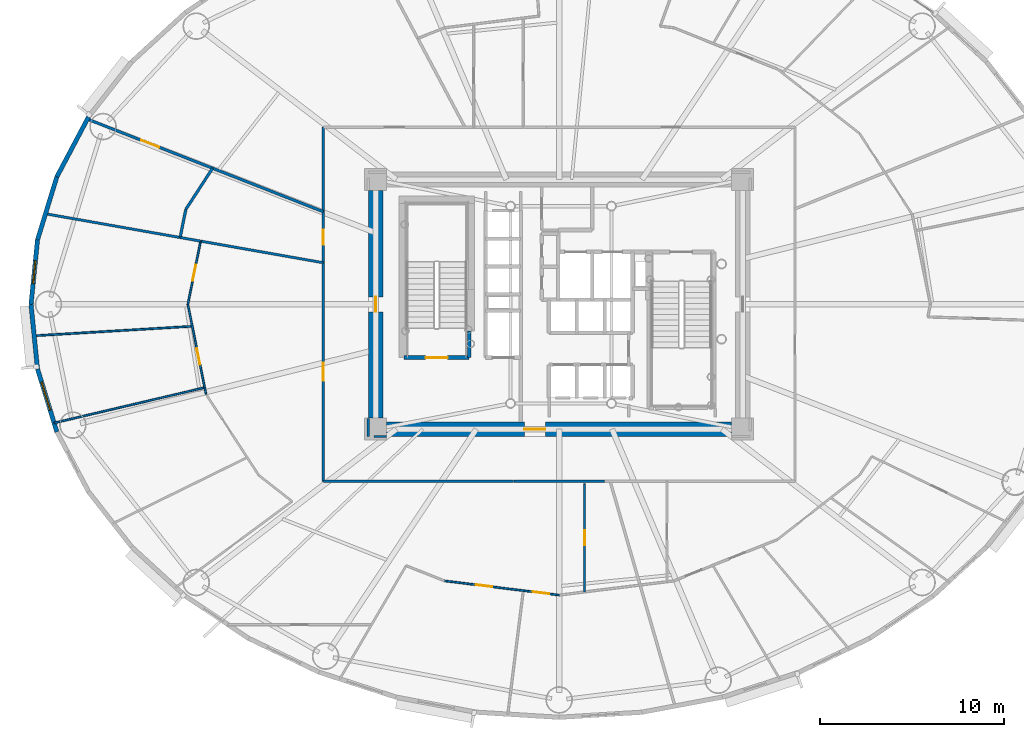
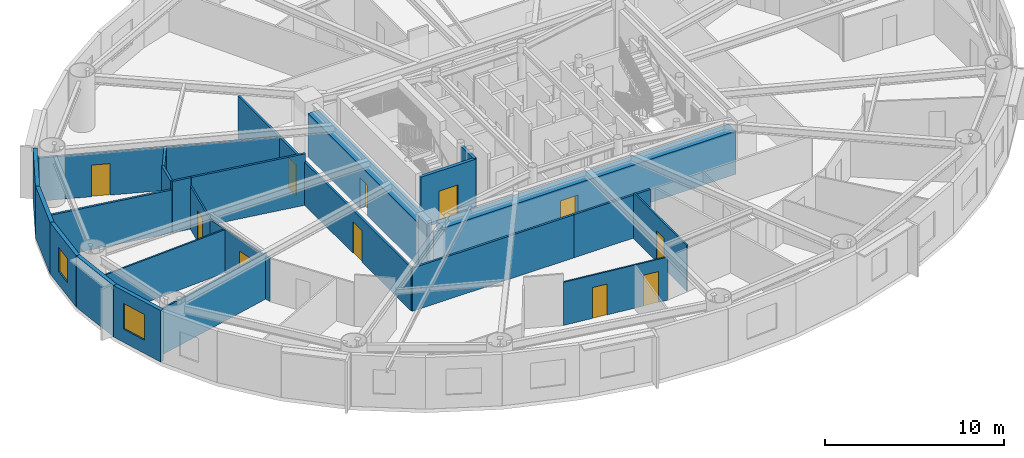
# One storey, part 10 of 20: 27 walls, 11 doors, 2 windows, 13 openings.
"""IFC4 building model written with IfcOpenShell, lengths in metres."""

from ifc_helpers import new_model, si_unit, direction, frame, frame_2d, origin, origin_2d, place, context, subcontext, project, spatial, rectangle, extrude, source, transform, mapped, material, layer, layer_set, type_object, element, fill, save


model = new_model("IFC4")

# Units and contexts
model_context = context("Model", 3, precision=1e-05, world=origin(), true_north=direction((0.0, 1.0)))
body_context = subcontext(model_context, "Body", "Model", "MODEL_VIEW")
ifc_project = project(units=[si_unit("LENGTHUNIT", "METRE"), si_unit("AREAUNIT", "SQUARE_METRE"), si_unit("VOLUMEUNIT", "CUBIC_METRE"), si_unit("PLANEANGLEUNIT", "RADIAN"), si_unit("MASSUNIT", "GRAM", prefix="KILO")], contexts=[model_context])

# Site, building, storey
site_placement = place(None, origin())
site = spatial("IfcSite", under=ifc_project, at=site_placement, CompositionType="ELEMENT")
building_placement = place(site_placement, origin())
building = spatial("IfcBuilding", under=site, at=building_placement, Name="Linh Dai School and Residence Tower", CompositionType="ELEMENT")
storey_placement = place(building_placement, frame((0.0, 0.0, 127.199951171875)))
storey = spatial("IfcBuildingStorey", under=building, at=storey_placement, Name="L30", CompositionType="ELEMENT", Elevation=127.199951171875)

# Walls
ifc_material_1 = material(Name="Precast Concrete B45 (C35/45)", Category="concrete")
ifc_layer_1 = layer(ifc_material_1, 0.239990234375)
ifc_layer_set_1 = layer_set([ifc_layer_1], Name="Precast Concrete B45 (C35/45)")
wall_type_1 = type_object("IfcWallType", Name="EW-TC-240", PredefinedType="SOLIDWALL", material=ifc_layer_set_1)
wall_1_placement = place(storey_placement, frame((8.6298828125, 33.945068359375, 0.0), z_axis=(0.0, 0.0, 1.0), x_axis=(0.467614004126, 0.883932770716, 0.0)))
element("IfcWall", 1, at=wall_1_placement, inside=storey, type_object=wall_type_1, Name="L30 Terracotta Exterior Wall 18", PredefinedType="SOLIDWALL", context=body_context, shape_type="SweptSolid", body=[
    extrude(rectangle(XDim=3.688720703125, YDim=0.239990234375, at=frame_2d((1.84423828125, 0.0))), origin(), (0.0, 0.0, 1.0), 3.5),
])
wall_2_placement = place(storey_placement, frame((7.578369140625, 30.515380859375, 0.0), z_axis=(0.0, 0.0, 1.0), x_axis=(0.293124431344, 0.956074300329, 0.0)))
element("IfcWall", 2, at=wall_2_placement, inside=storey, type_object=wall_type_1, Name="L30 Terracotta Exterior Wall 19", PredefinedType="SOLIDWALL", context=body_context, shape_type="SweptSolid", body=[
    extrude(rectangle(XDim=3.587158203125, YDim=0.239990234375, at=frame_2d((1.79345703125, 0.0))), origin(), (0.0, 0.0, 1.0), 3.5),
])

# Wall, opening, window
wall_3_placement = place(storey_placement, frame((7.22509765625, 27.0, 0.0), z_axis=(0.0, 0.0, 1.0), x_axis=(0.099989468229, 0.994988495533, 0.0)))
wall_3 = element("IfcWall", 3, at=wall_3_placement, inside=storey, type_object=wall_type_1, Name="L30 Terracotta Exterior Wall 20", PredefinedType="SOLIDWALL", context=body_context, shape_type="SweptSolid", body=[
    extrude(rectangle(XDim=3.533203125, YDim=0.239990234375, at=frame_2d((1.7666015625, 0.0))), origin(), (0.0, 0.0, 1.0), 3.5),
])
opening_1_placement = place(wall_3_placement, frame((1.1416015625, 0.0, 0.89990234375)))
opening_1 = element("IfcOpeningElement", 4, at=opening_1_placement, cuts=wall_3, Name="Opening W3", PredefinedType="OPENING", context=body_context, shape_type="SweptSolid", body=[
    extrude(rectangle(XDim=1.25, YDim=1.64990234375, at=origin_2d()), frame((0.625, 0.1298828125, 0.824951171875), z_axis=(0.0, -1.0, 0.0), x_axis=(1.0, 0.0, 0.0)), (0.0, 0.0, 1.0), 0.260009765625),
])
ifc_material_2 = material(Name="Double Low-E Insulated Glazing", Category="glass")
window_type_1 = type_object("IfcWindowType", Name="WN-RES-1250x1650", PartitioningType="SINGLE_PANEL", PredefinedType="WINDOW", material=ifc_material_2)
shared_shape_1 = source(origin(), body_context, "Body", "SweptSolid", [
    extrude(rectangle(XDim=1.25, YDim=1.64990234375, at=origin_2d()), frame((0.625, 0.030029296875, 0.824951171875), z_axis=(0.0, -1.0, 0.0), x_axis=(1.0, 0.0, 0.0)), (0.0, 0.0, 1.0), 0.06005859375),
])
window_1_placement = place(opening_1_placement, origin())
window_1 = element("IfcWindow", 5, at=window_1_placement, inside=storey, type_object=window_type_1, Name="L30 Dwelling Window U3001-BD1", OverallHeight=1.64990234375, OverallWidth=1.25, PartitioningType="SINGLE_PANEL", PredefinedType="WINDOW", context=body_context, shape_type="MappedRepresentation", body=[
    mapped(shared_shape_1, transform((0.0, 0.0, 0.0), x_axis=(1.0, 0.0, 0.0), y_axis=(0.0, 1.0, 0.0), z_axis=(0.0, 0.0, 1.0), scale=1.0)),
])
fill(opening_1, window_1)

# Wall
wall_4_placement = place(storey_placement, frame((7.578369140625, 23.484619140625, 0.0), z_axis=(0.0, 0.0, 1.0), x_axis=(-0.099989468229, 0.994988495533, 0.0)))
element("IfcWall", 6, at=wall_4_placement, inside=storey, type_object=wall_type_1, Name="L30 Terracotta Exterior Wall 21", PredefinedType="SOLIDWALL", context=body_context, shape_type="SweptSolid", body=[
    extrude(rectangle(XDim=3.533203125, YDim=0.239990234375, at=frame_2d((1.7666015625, 0.0))), origin(), (0.0, 0.0, 1.0), 3.5),
])

# Wall, opening, window
wall_5_placement = place(storey_placement, frame((8.6298828125, 20.054931640625, 0.0), z_axis=(0.0, 0.0, 1.0), x_axis=(-0.293124431344, 0.956074300329, 0.0)))
wall_5 = element("IfcWall", 7, at=wall_5_placement, inside=storey, type_object=wall_type_1, Name="L30 Terracotta Exterior Wall 22", PredefinedType="SOLIDWALL", context=body_context, shape_type="SweptSolid", body=[
    extrude(rectangle(XDim=3.587158203125, YDim=0.239990234375, at=frame_2d((1.79345703125, 0.0))), origin(), (0.0, 0.0, 1.0), 3.5),
])
opening_2_placement = place(wall_5_placement, frame((1.23583984375, 0.0, 0.89990234375)))
opening_2 = element("IfcOpeningElement", 8, at=opening_2_placement, cuts=wall_5, Name="Opening W2", PredefinedType="OPENING", context=body_context, shape_type="SweptSolid", body=[
    extrude(rectangle(XDim=1.60009765625, YDim=1.75, at=origin_2d()), frame((0.800048828125, 0.1298828125, 0.875), z_axis=(0.0, -1.0, 0.0), x_axis=(1.0, 0.0, 0.0)), (0.0, 0.0, 1.0), 0.260009765625),
])
window_type_2 = type_object("IfcWindowType", Name="WN-RES-1600x1750", PartitioningType="DOUBLE_PANEL_VERTICAL", PredefinedType="WINDOW", material=ifc_material_2)
shared_shape_2 = source(origin(), body_context, "Body", "SweptSolid", [
    extrude(rectangle(XDim=1.60009765625, YDim=1.75, at=origin_2d()), frame((0.800048828125, 0.030029296875, 0.875), z_axis=(0.0, -1.0, 0.0), x_axis=(1.0, 0.0, 0.0)), (0.0, 0.0, 1.0), 0.06005859375),
])
window_2_placement = place(opening_2_placement, origin())
window_2 = element("IfcWindow", 9, at=window_2_placement, inside=storey, type_object=window_type_2, Name="L30 Exterior Window 22.1", OverallHeight=1.75, OverallWidth=1.60009765625, PartitioningType="DOUBLE_PANEL_VERTICAL", PredefinedType="WINDOW", context=body_context, shape_type="MappedRepresentation", body=[
    mapped(shared_shape_2, transform((0.0, 0.0, 0.0), x_axis=(1.0, 0.0, 0.0), y_axis=(0.0, 1.0, 0.0), z_axis=(0.0, 0.0, 1.0), scale=1.0)),
])
fill(opening_2, window_2)

# Walls
ifc_material_3 = material(Name="Autoclaved Aerated Concrete Blockwork", Category="masonry")
ifc_layer_2 = layer(ifc_material_3, 0.135009765625)
ifc_layer_set_2 = layer_set([ifc_layer_2], Name="Autoclaved Aerated Concrete Blockwork")
wall_type_2 = type_object("IfcWallType", Name="IW-CORR-135-EI90", PredefinedType="PARTITIONING", material=ifc_layer_set_2)
wall_6_placement = place(storey_placement, frame((8.008544921875, 31.935546875, 0.0), z_axis=(0.0, 0.0, 1.0), x_axis=(0.984811568092, -0.173626539887, 0.0)))
element("IfcWall", 10, at=wall_6_placement, inside=storey, type_object=wall_type_2, Name="L30 Interior Partition Wall 002", PredefinedType="PARTITIONING", context=body_context, shape_type="SweptSolid", body=[
    extrude(rectangle(XDim=7.455322265625, YDim=0.135009765625, at=frame_2d((3.7275390625, 0.0))), origin(), (0.0, 0.0, 1.0), 2.93505859375),
])
wall_7_placement = place(storey_placement, frame((15.3603515625, 30.639404296875, 0.0), z_axis=(0.0, 0.0, 1.0), x_axis=(0.98480543172, -0.173661341855, 0.0)))
element("IfcWall", 11, at=wall_7_placement, inside=storey, type_object=wall_type_2, Name="L30 Interior Partition Wall 008", PredefinedType="PARTITIONING", context=body_context, shape_type="SweptSolid", body=[
    extrude(rectangle(XDim=1.123291015625, YDim=0.135009765625, at=frame_2d((0.5615234375, 0.0))), origin(), (0.0, 0.0, 1.0), 3.5),
])
wall_8_placement = place(storey_placement, frame((16.4765625, 30.442626953125, 0.0), z_axis=(0.0, 0.0, 1.0), x_axis=(0.984806038229, -0.173657902402, 0.0)))
element("IfcWall", 12, at=wall_8_placement, inside=storey, type_object=wall_type_2, Name="L30 Interior Partition Wall 012", PredefinedType="PARTITIONING", context=body_context, shape_type="SweptSolid", body=[
    extrude(rectangle(XDim=6.7763671875, YDim=0.135009765625, at=frame_2d((3.38818359375, 0.0))), origin(), (0.0, 0.0, 1.0), 3.5),
])

# Wall, openings, doors
wall_9_placement = place(storey_placement, frame((23.14990234375, 17.35009765625, 0.0), z_axis=(0.0, 0.0, 1.0), x_axis=(0.0, 1.0, 0.0)))
wall_9 = element("IfcWall", 13, at=wall_9_placement, inside=storey, type_object=wall_type_2, Name="L30 Interior Partition Wall 017", PredefinedType="PARTITIONING", context=body_context, shape_type="SweptSolid", body=[
    extrude(rectangle(XDim=19.2998046875, YDim=0.135009765625, at=frame_2d((9.64990234375, 0.0))), origin(), (0.0, 0.0, 1.0), 2.93505859375),
])
opening_3_placement = place(wall_9_placement, frame((5.477783203125, 0.0, 0.0)))
opening_3 = element("IfcOpeningElement", 14, at=opening_3_placement, cuts=wall_9, Name="Opening D03", PredefinedType="OPENING", context=body_context, shape_type="SweptSolid", body=[
    extrude(rectangle(XDim=1.0, YDim=2.14990234375, at=origin_2d()), frame((0.5, 0.07763671875, 1.074951171875), z_axis=(0.0, -1.0, 0.0), x_axis=(1.0, 0.0, 0.0)), (0.0, 0.0, 1.0), 0.155029296875),
])
opening_4_placement = place(wall_9_placement, frame((12.89599609375, 0.0, 0.0)))
opening_4 = element("IfcOpeningElement", 15, at=opening_4_placement, cuts=wall_9, Name="Opening D06", PredefinedType="OPENING", context=body_context, shape_type="SweptSolid", body=[
    extrude(rectangle(XDim=0.820068359375, YDim=2.10009765625, at=origin_2d()), frame((0.41015625, 0.07763671875, 1.050048828125), z_axis=(0.0, -1.0, 0.0), x_axis=(1.0, 0.0, 0.0)), (0.0, 0.0, 1.0), 0.155029296875),
])
ifc_material_4 = material(Name="Moisture-Resistant Timber Bathroom Door", Category="wood")
door_type_1 = type_object("IfcDoorType", Name="DR-WET-820x2100", OperationType="NOTDEFINED", PredefinedType="DOOR", material=ifc_material_4)
shared_shape_3 = source(origin(), body_context, "Body", "SweptSolid", [
    extrude(rectangle(XDim=0.820068359375, YDim=2.10009765625, at=origin_2d()), frame((0.41015625, 0.02490234375, 1.050048828125), z_axis=(0.0, -1.0, 0.0), x_axis=(1.0, 0.0, 0.0)), (0.0, 0.0, 1.0), 0.050048828125),
])
door_1_placement = place(opening_4_placement, origin())
door_1 = element("IfcDoor", 16, at=door_1_placement, inside=storey, type_object=door_type_1, Name="L30 Amenity Washroom Door", OperationType="SINGLE_SWING_RIGHT", OverallHeight=2.10009765625, OverallWidth=0.820068359375, PredefinedType="DOOR", context=body_context, shape_type="MappedRepresentation", body=[
    mapped(shared_shape_3, transform((0.0, 0.0, 0.0), x_axis=(1.0, 0.0, 0.0), y_axis=(0.0, 1.0, 0.0), z_axis=(0.0, 0.0, 1.0), scale=1.0)),
])
fill(opening_4, door_1)
ifc_material_5 = material(Name="Fire-Rated Solid Timber Entrance Door", Category="wood")
door_type_2 = type_object("IfcDoorType", Name="DR-FLAT-1000x2150-FD60S", OperationType="NOTDEFINED", PredefinedType="DOOR", material=ifc_material_5)
shared_shape_4 = source(origin(), body_context, "Body", "SweptSolid", [
    extrude(rectangle(XDim=1.0, YDim=2.14990234375, at=origin_2d()), frame((0.5, 0.02490234375, 1.074951171875), z_axis=(0.0, -1.0, 0.0), x_axis=(1.0, 0.0, 0.0)), (0.0, 0.0, 1.0), 0.050048828125),
])
door_2_placement = place(opening_3_placement, origin())
door_2 = element("IfcDoor", 17, at=door_2_placement, inside=storey, type_object=door_type_2, Name="L30 U3001 Apartment Entrance Door", OperationType="SINGLE_SWING_LEFT", OverallHeight=2.14990234375, OverallWidth=1.0, PredefinedType="DOOR", context=body_context, shape_type="MappedRepresentation", body=[
    mapped(shared_shape_4, transform((0.0, 0.0, 0.0), x_axis=(1.0, 0.0, 0.0), y_axis=(0.0, 1.0, 0.0), z_axis=(0.0, 0.0, 1.0), scale=1.0)),
])
fill(opening_3, door_2)

# Walls
wall_10_placement = place(storey_placement, frame((23.14990234375, 17.35009765625, 0.0), z_axis=(0.0, 0.0, 1.0), x_axis=(1.0, 0.0, 0.0)))
element("IfcWall", 18, at=wall_10_placement, inside=storey, type_object=wall_type_2, Name="L30 Interior Partition Wall 018", PredefinedType="PARTITIONING", context=body_context, shape_type="SweptSolid", body=[
    extrude(rectangle(XDim=10.373046875, YDim=0.135009765625, at=frame_2d((5.1865234375, 0.0))), origin(), (0.0, 0.0, 1.0), 2.93505859375),
])
wall_11_placement = place(storey_placement, frame((38.467041015625, 17.35009765625, 0.0), z_axis=(0.0, 0.0, 1.0), x_axis=(-1.0, 0.0, 0.0)))
element("IfcWall", 19, at=wall_11_placement, inside=storey, type_object=wall_type_2, Name="L30 Interior Partition Wall 105", PredefinedType="PARTITIONING", context=body_context, shape_type="SweptSolid", body=[
    extrude(rectangle(XDim=4.93408203125, YDim=0.135009765625, at=frame_2d((2.467041015625, 0.0))), origin(), (0.0, 0.0, 1.0), 2.93505859375),
])
wall_12_placement = place(storey_placement, frame((25.60009765625, 20.7900390625, 0.0), z_axis=(0.0, 0.0, 1.0), x_axis=(0.0, -1.0, 0.0)))
element("IfcWall", 20, at=wall_12_placement, inside=storey, type_object=wall_type_2, Name="L30 Interior Partition Wall 109", PredefinedType="PARTITIONING", context=body_context, shape_type="SweptSolid", body=[
    extrude(rectangle(XDim=0.989990234375, YDim=0.135009765625, at=frame_2d((0.4951171875, 0.0))), origin(), (0.0, 0.0, 1.0), 3.5),
])
wall_13_placement = place(storey_placement, frame((25.907470703125, 19.800048828125, 0.0), z_axis=(0.0, 0.0, 1.0), x_axis=(1.0, 0.0, 0.0)))
element("IfcWall", 21, at=wall_13_placement, inside=storey, type_object=wall_type_2, Name="L30 Interior Partition Wall 110", PredefinedType="PARTITIONING", context=body_context, shape_type="SweptSolid", body=[
    extrude(rectangle(XDim=0.6826171875, YDim=0.135009765625, at=frame_2d((0.34130859375, 0.0))), origin(), (0.0, 0.0, 1.0), 2.93505859375),
])

# Wall, opening, door
ifc_layer_3 = layer(ifc_material_3, 0.14990234375)
ifc_layer_set_3 = layer_set([ifc_layer_3], Name="Autoclaved Aerated Concrete Blockwork")
wall_type_3 = type_object("IfcWallType", Name="IW-SCH-150-EI60", PredefinedType="PARTITIONING", material=ifc_layer_set_3)
wall_14_placement = place(storey_placement, frame((10.291015625, 37.095947265625, 0.0), z_axis=(0.0, 0.0, 1.0), x_axis=(0.930798312434, -0.365533174376, 0.0)))
wall_14 = element("IfcWall", 22, at=wall_14_placement, inside=storey, type_object=wall_type_3, Name="L30 Interior Partition Wall 004", PredefinedType="PARTITIONING", context=body_context, shape_type="SweptSolid", body=[
    extrude(rectangle(XDim=13.81494140625, YDim=0.14990234375, at=frame_2d((6.907470703125, 0.0))), origin(), (0.0, 0.0, 1.0), 2.93505859375),
])
opening_5_placement = place(wall_14_placement, frame((3.162353515625, 0.0, 0.0)))
opening_5 = element("IfcOpeningElement", 23, at=opening_5_placement, cuts=wall_14, Name="Opening D04", PredefinedType="OPENING", context=body_context, shape_type="SweptSolid", body=[
    extrude(rectangle(XDim=1.050048828125, YDim=2.14990234375, at=origin_2d()), frame((0.52490234375, 0.0849609375, 1.074951171875), z_axis=(0.0, -1.0, 0.0), x_axis=(1.0, 0.0, 0.0)), (0.0, 0.0, 1.0), 0.169921875),
])
ifc_material_6 = material(Name="Acoustic Vision-Panel Timber Classroom Door", Category="wood")
door_type_3 = type_object("IfcDoorType", Name="DR-SCH-1050x2150-FD60S", OperationType="NOTDEFINED", PredefinedType="DOOR", material=ifc_material_6)
shared_shape_5 = source(origin(), body_context, "Body", "SweptSolid", [
    extrude(rectangle(XDim=1.050048828125, YDim=2.14990234375, at=origin_2d()), frame((0.52490234375, 0.02490234375, 1.074951171875), z_axis=(0.0, -1.0, 0.0), x_axis=(1.0, 0.0, 0.0)), (0.0, 0.0, 1.0), 0.050048828125),
])
door_3_placement = place(opening_5_placement, origin())
door_3 = element("IfcDoor", 24, at=door_3_placement, inside=storey, type_object=door_type_3, Name="L30 Amenity Tea Salon Door", OperationType="SINGLE_SWING_LEFT", OverallHeight=2.14990234375, OverallWidth=1.050048828125, PredefinedType="DOOR", context=body_context, shape_type="MappedRepresentation", body=[
    mapped(shared_shape_5, transform((0.0, 0.0, 0.0), x_axis=(1.0, 0.0, 0.0), y_axis=(0.0, 1.0, 0.0), z_axis=(0.0, 0.0, 1.0), scale=1.0)),
])
fill(opening_5, door_3)

# Walls
wall_15_placement = place(storey_placement, frame((15.3505859375, 30.64111328125, 0.0), z_axis=(0.0, 0.0, 1.0), x_axis=(0.198156082111, 0.980170478602, 0.0)))
element("IfcWall", 25, at=wall_15_placement, inside=storey, type_object=wall_type_3, Name="L30 Interior Partition Wall 007", PredefinedType="PARTITIONING", context=body_context, shape_type="SweptSolid", body=[
    extrude(rectangle(XDim=1.564697265625, YDim=0.14990234375, at=frame_2d((0.7822265625, 0.0))), origin(), (0.0, 0.0, 1.0), 3.5),
])
wall_16_placement = place(storey_placement, frame((15.66064453125, 32.1748046875, 0.0), z_axis=(0.0, 0.0, 1.0), x_axis=(0.54538967239, 0.838182620465, 0.0)))
element("IfcWall", 26, at=wall_16_placement, inside=storey, type_object=wall_type_3, Name="L30 Interior Partition Wall 009", PredefinedType="PARTITIONING", context=body_context, shape_type="SweptSolid", body=[
    extrude(rectangle(XDim=2.67236328125, YDim=0.14990234375, at=frame_2d((1.336181640625, 0.0))), origin(), (0.0, 0.0, 1.0), 2.93505859375),
])

# Wall, opening, door
ifc_material_7 = material(Name="Concrete B45 (C35/45)", Category="concrete")
ifc_layer_4 = layer(ifc_material_7, 0.199951171875)
ifc_layer_set_4 = layer_set([ifc_layer_4], Name="Concrete B45 (C35/45)")
wall_type_4 = type_object("IfcWallType", Name="IW-SHAFT-200-EI120", PredefinedType="PARTITIONING", material=ifc_layer_set_4)
wall_17_placement = place(storey_placement, frame((27.56005859375, 24.10009765625, 0.0), z_axis=(0.0, 0.0, 1.0), x_axis=(1.0, 0.0, 0.0)))
wall_17 = element("IfcWall", 27, at=wall_17_placement, inside=storey, type_object=wall_type_4, Name="L30 Interior Partition Wall 022", PredefinedType="PARTITIONING", context=body_context, shape_type="SweptSolid", body=[
    extrude(rectangle(XDim=3.5400390625, YDim=0.199951171875, at=frame_2d((1.77001953125, 0.0))), origin(), (0.0, 0.0, 1.0), 3.5),
])
opening_6_placement = place(wall_17_placement, frame((1.169921875, 0.0, 0.0)))
opening_6 = element("IfcOpeningElement", 28, at=opening_6_placement, cuts=wall_17, Name="Opening D01", PredefinedType="OPENING", context=body_context, shape_type="SweptSolid", body=[
    extrude(rectangle(XDim=1.199951171875, YDim=2.14990234375, at=origin_2d()), frame((0.60009765625, 0.10986328125, 1.074951171875), z_axis=(0.0, -1.0, 0.0), x_axis=(1.0, 0.0, 0.0)), (0.0, 0.0, 1.0), 0.219970703125),
])
ifc_material_8 = material(Name="Fire-Rated Steel Door Leaf", Category="steel")
door_type_4 = type_object("IfcDoorType", Name="DR-STAIR-1200x2150-FD90S", OperationType="NOTDEFINED", PredefinedType="DOOR", material=ifc_material_8)
shared_shape_6 = source(origin(), body_context, "Body", "SweptSolid", [
    extrude(rectangle(XDim=1.199951171875, YDim=2.14990234375, at=origin_2d()), frame((0.60009765625, 0.02490234375, 1.074951171875), z_axis=(0.0, -1.0, 0.0), x_axis=(1.0, 0.0, 0.0)), (0.0, 0.0, 1.0), 0.050048828125),
])
door_4_placement = place(opening_6_placement, origin())
door_4 = element("IfcDoor", 29, at=door_4_placement, inside=storey, type_object=door_type_4, Name="L30 Core Smokeproof Exit Stair ST1 Door", OperationType="SINGLE_SWING_LEFT", OverallHeight=2.14990234375, OverallWidth=1.199951171875, PredefinedType="DOOR", context=body_context, shape_type="MappedRepresentation", body=[
    mapped(shared_shape_6, transform((0.0, 0.0, 0.0), x_axis=(1.0, 0.0, 0.0), y_axis=(0.0, 1.0, 0.0), z_axis=(0.0, 0.0, 1.0), scale=1.0)),
])
fill(opening_6, door_4)

# Walls
wall_18_placement = place(storey_placement, frame((31.10009765625, 24.10009765625, 0.0), z_axis=(0.0, 0.0, 1.0), x_axis=(0.0, 1.0, 0.0)))
element("IfcWall", 30, at=wall_18_placement, inside=storey, type_object=wall_type_4, Name="L30 Interior Partition Wall 027", PredefinedType="PARTITIONING", context=body_context, shape_type="SweptSolid", body=[
    extrude(rectangle(XDim=1.43994140625, YDim=0.199951171875, at=frame_2d((0.719970703125, 0.0))), origin(), (0.0, 0.0, 1.0), 3.5),
])
ifc_material_9 = material(Name="Gypsum Plasterboard Acoustic Stud Partition", Category="masonry")
ifc_layer_5 = layer(ifc_material_9, 0.10009765625)
ifc_layer_set_5 = layer_set([ifc_layer_5], Name="Gypsum Plasterboard Acoustic Stud Partition")
wall_type_5 = type_object("IfcWallType", Name="IW-UNIT-100", PredefinedType="PARTITIONING", material=ifc_layer_set_5)
wall_19_placement = place(storey_placement, frame((7.39208984375, 25.287353515625, 0.0), z_axis=(0.0, 0.0, 1.0), x_axis=(0.998212308635, 0.059767774675, 0.0)))
element("IfcWall", 31, at=wall_19_placement, inside=storey, type_object=wall_type_5, Name="L30 Interior Partition Wall 001", PredefinedType="PARTITIONING", context=body_context, shape_type="SweptSolid", body=[
    extrude(rectangle(XDim=8.63525390625, YDim=0.10009765625, at=frame_2d((4.317626953125, 0.0))), origin(), (0.0, 0.0, 1.0), 2.93505859375),
])
wall_20_placement = place(storey_placement, frame((8.47705078125, 20.536376953125, 0.0), z_axis=(0.0, 0.0, 1.0), x_axis=(0.973513511356, 0.228629488929, 0.0)))
element("IfcWall", 32, at=wall_20_placement, inside=storey, type_object=wall_type_5, Name="L30 Interior Partition Wall 003", PredefinedType="PARTITIONING", context=body_context, shape_type="SweptSolid", body=[
    extrude(rectangle(XDim=8.433837890625, YDim=0.10009765625, at=frame_2d((4.216796875, 0.0))), origin(), (0.0, 0.0, 1.0), 3.125),
])

# Wall, opening, door
wall_21_placement = place(storey_placement, frame((15.77001953125, 27.0, 0.0), z_axis=(0.0, 0.0, 1.0), x_axis=(0.198213309, 0.980158907594, 0.0)))
wall_21 = element("IfcWall", 33, at=wall_21_placement, inside=storey, type_object=wall_type_5, Name="L30 Interior Partition Wall 010", PredefinedType="PARTITIONING", context=body_context, shape_type="SweptSolid", body=[
    extrude(rectangle(XDim=3.51416015625, YDim=0.10009765625, at=frame_2d((1.757080078125, 0.0))), origin(), (0.0, 0.0, 1.0), 2.93505859375),
])
opening_7_placement = place(wall_21_placement, frame((1.306884765625, 0.0, 0.0)))
opening_7 = element("IfcOpeningElement", 34, at=opening_7_placement, cuts=wall_21, Name="Opening D05", PredefinedType="OPENING", context=body_context, shape_type="SweptSolid", body=[
    extrude(rectangle(XDim=0.89990234375, YDim=2.10009765625, at=origin_2d()), frame((0.449951171875, 0.06005859375, 1.050048828125), z_axis=(0.0, -1.0, 0.0), x_axis=(1.0, 0.0, 0.0)), (0.0, 0.0, 1.0), 0.1201171875),
])
ifc_material_10 = material(Name="Engineered Timber Internal Door", Category="wood")
door_type_5 = type_object("IfcDoorType", Name="DR-INT-900x2100", OperationType="NOTDEFINED", PredefinedType="DOOR", material=ifc_material_10)
shared_shape_7 = source(origin(), body_context, "Body", "SweptSolid", [
    extrude(rectangle(XDim=0.89990234375, YDim=2.10009765625, at=origin_2d()), frame((0.449951171875, 0.02490234375, 1.050048828125), z_axis=(0.0, -1.0, 0.0), x_axis=(1.0, 0.0, 0.0)), (0.0, 0.0, 1.0), 0.050048828125),
])
door_5_placement = place(opening_7_placement, origin())
door_5 = element("IfcDoor", 35, at=door_5_placement, inside=storey, type_object=door_type_5, Name="L30 Apartment U3001 Principal Bedroom 1 Door", OperationType="SINGLE_SWING_RIGHT", OverallHeight=2.10009765625, OverallWidth=0.89990234375, PredefinedType="DOOR", context=body_context, shape_type="MappedRepresentation", body=[
    mapped(shared_shape_7, transform((0.0, 0.0, 0.0), x_axis=(1.0, 0.0, 0.0), y_axis=(0.0, 1.0, 0.0), z_axis=(0.0, 0.0, 1.0), scale=1.0)),
])
fill(opening_7, door_5)

wall_22_placement = place(storey_placement, frame((15.77001953125, 27.0, 0.0), z_axis=(0.0, 0.0, 1.0), x_axis=(0.198266588366, -0.98014813163, 0.0)))
wall_22 = element("IfcWall", 36, at=wall_22_placement, inside=storey, type_object=wall_type_5, Name="L30 Interior Partition Wall 011", PredefinedType="PARTITIONING", context=body_context, shape_type="SweptSolid", body=[
    extrude(rectangle(XDim=4.62744140625, YDim=0.10009765625, at=frame_2d((2.313720703125, 0.0))), origin(), (0.0, 0.0, 1.0), 2.93505859375),
])
opening_8_placement = place(wall_22_placement, frame((2.4541015625, 0.0, 0.0)))
opening_8 = element("IfcOpeningElement", 37, at=opening_8_placement, cuts=wall_22, Name="Opening D05", PredefinedType="OPENING", context=body_context, shape_type="SweptSolid", body=[
    extrude(rectangle(XDim=0.89990234375, YDim=2.10009765625, at=origin_2d()), frame((0.449951171875, 0.06005859375, 1.050048828125), z_axis=(0.0, -1.0, 0.0), x_axis=(1.0, 0.0, 0.0)), (0.0, 0.0, 1.0), 0.1201171875),
])
door_6_placement = place(opening_8_placement, origin())
door_6 = element("IfcDoor", 38, at=door_6_placement, inside=storey, type_object=door_type_5, Name="L30 Apartment U3001 Study Door", OperationType="SINGLE_SWING_LEFT", OverallHeight=2.10009765625, OverallWidth=0.89990234375, PredefinedType="DOOR", context=body_context, shape_type="MappedRepresentation", body=[
    mapped(shared_shape_7, transform((0.0, 0.0, 0.0), x_axis=(1.0, 0.0, 0.0), y_axis=(0.0, 1.0, 0.0), z_axis=(0.0, 0.0, 1.0), scale=1.0)),
])
fill(opening_8, door_6)

# Wall
wall_23_placement = place(storey_placement, frame((16.689453125, 22.45458984375, 0.0), z_axis=(0.0, 0.0, 1.0), x_axis=(0.197827143955, -0.98023692091, 0.0)))
element("IfcWall", 39, at=wall_23_placement, inside=storey, type_object=wall_type_5, Name="L30 Interior Partition Wall 013", PredefinedType="PARTITIONING", context=body_context, shape_type="SweptSolid", body=[
    extrude(rectangle(XDim=0.356689453125, YDim=0.10009765625, at=frame_2d((0.17822265625, 0.0))), origin(), (0.0, 0.0, 1.0), 2.93505859375),
])

# Wall, openings, doors
wall_24_placement = place(storey_placement, frame((29.74853515625, 11.934326171875, 0.0), z_axis=(0.0, 0.0, 1.0), x_axis=(0.992395485088, -0.123090215599, 0.0)))
wall_24 = element("IfcWall", 40, at=wall_24_placement, inside=storey, type_object=wall_type_5, Name="L30 Interior Partition Wall 025", PredefinedType="PARTITIONING", context=body_context, shape_type="SweptSolid", body=[
    extrude(rectangle(XDim=6.29931640625, YDim=0.10009765625, at=frame_2d((3.149658203125, 0.0))), origin(), (0.0, 0.0, 1.0), 2.93505859375),
])
opening_9_placement = place(wall_24_placement, frame((1.73583984375, 0.0, 0.0)))
opening_9 = element("IfcOpeningElement", 41, at=opening_9_placement, cuts=wall_24, Name="Opening D05", PredefinedType="OPENING", context=body_context, shape_type="SweptSolid", body=[
    extrude(rectangle(XDim=0.89990234375, YDim=2.10009765625, at=origin_2d()), frame((0.449951171875, 0.06005859375, 1.050048828125), z_axis=(0.0, -1.0, 0.0), x_axis=(1.0, 0.0, 0.0)), (0.0, 0.0, 1.0), 0.1201171875),
])
opening_10_placement = place(wall_24_placement, frame((4.845458984375, 0.0, 0.0)))
opening_10 = element("IfcOpeningElement", 42, at=opening_10_placement, cuts=wall_24, Name="Opening D05", PredefinedType="OPENING", context=body_context, shape_type="SweptSolid", body=[
    extrude(rectangle(XDim=0.89990234375, YDim=2.10009765625, at=origin_2d()), frame((0.449951171875, 0.06005859375, 1.050048828125), z_axis=(0.0, -1.0, 0.0), x_axis=(1.0, 0.0, 0.0)), (0.0, 0.0, 1.0), 0.1201171875),
])
door_7_placement = place(opening_9_placement, origin())
door_7 = element("IfcDoor", 43, at=door_7_placement, inside=storey, type_object=door_type_5, Name="L30 Apartment U3001 Principal Bedroom 3 Door", OperationType="SINGLE_SWING_RIGHT", OverallHeight=2.10009765625, OverallWidth=0.89990234375, PredefinedType="DOOR", context=body_context, shape_type="MappedRepresentation", body=[
    mapped(shared_shape_7, transform((0.0, 0.0, 0.0), x_axis=(1.0, 0.0, 0.0), y_axis=(0.0, 1.0, 0.0), z_axis=(0.0, 0.0, 1.0), scale=1.0)),
])
fill(opening_9, door_7)
door_8_placement = place(opening_10_placement, origin())
door_8 = element("IfcDoor", 44, at=door_8_placement, inside=storey, type_object=door_type_5, Name="L30 Apartment U3001 Principal Bedroom 4 Door", OperationType="SINGLE_SWING_LEFT", OverallHeight=2.10009765625, OverallWidth=0.89990234375, PredefinedType="DOOR", context=body_context, shape_type="MappedRepresentation", body=[
    mapped(shared_shape_7, transform((0.0, 0.0, 0.0), x_axis=(1.0, 0.0, 0.0), y_axis=(0.0, 1.0, 0.0), z_axis=(0.0, 0.0, 1.0), scale=1.0)),
])
fill(opening_10, door_8)

# Wall, opening, door
wall_25_placement = place(storey_placement, frame((37.385498046875, 11.330810546875, 0.0), z_axis=(0.0, 0.0, 1.0), x_axis=(0.0, 1.0, 0.0)))
wall_25 = element("IfcWall", 45, at=wall_25_placement, inside=storey, type_object=wall_type_5, Name="L30 Interior Partition Wall 056", PredefinedType="PARTITIONING", context=body_context, shape_type="SweptSolid", body=[
    extrude(rectangle(XDim=5.8837890625, YDim=0.10009765625, at=frame_2d((2.94189453125, 0.0))), origin(), (0.0, 0.0, 1.0), 3.125),
])
opening_11_placement = place(wall_25_placement, frame((2.531982421875, 0.0, 0.0)))
opening_11 = element("IfcOpeningElement", 46, at=opening_11_placement, cuts=wall_25, Name="Opening D06", PredefinedType="OPENING", context=body_context, shape_type="SweptSolid", body=[
    extrude(rectangle(XDim=0.820068359375, YDim=2.10009765625, at=origin_2d()), frame((0.41015625, 0.06005859375, 1.050048828125), z_axis=(0.0, -1.0, 0.0), x_axis=(1.0, 0.0, 0.0)), (0.0, 0.0, 1.0), 0.1201171875),
])
door_9_placement = place(opening_11_placement, origin())
door_9 = element("IfcDoor", 47, at=door_9_placement, inside=storey, type_object=door_type_1, Name="L30 Apartment U3001 Bathroom 1 Door", OperationType="SINGLE_SWING_RIGHT", OverallHeight=2.10009765625, OverallWidth=0.820068359375, PredefinedType="DOOR", context=body_context, shape_type="MappedRepresentation", body=[
    mapped(shared_shape_3, transform((0.0, 0.0, 0.0), x_axis=(1.0, 0.0, 0.0), y_axis=(0.0, 1.0, 0.0), z_axis=(0.0, 0.0, 1.0), scale=1.0)),
])
fill(opening_11, door_9)

ifc_material_11 = material(Name="Concrete B60 (C50/60)", Category="concrete")
ifc_layer_6 = layer(ifc_material_11, 0.800048828125)
ifc_layer_set_6 = layer_set([ifc_layer_6], Name="Concrete B60 (C50/60)")
wall_type_6 = type_object("IfcWallType", Name="WL-CORE800", PredefinedType="SHEAR", material=ifc_layer_set_6)
wall_26_placement = place(storey_placement, frame((45.39990234375, 20.199951171875, 0.0), z_axis=(0.0, 0.0, 1.0), x_axis=(-1.0, 0.0, 0.0)))
wall_26 = element("IfcWall", 48, at=wall_26_placement, inside=storey, type_object=wall_type_6, Name="L30 Central Core Shear Wall S", PredefinedType="SHEAR", context=body_context, shape_type="SweptSolid", body=[
    extrude(rectangle(XDim=18.7998046875, YDim=0.800048828125, at=frame_2d((9.39990234375, 0.0))), origin(), (0.0, 0.0, 1.0), 2.949951171875),
])
opening_12_placement = place(wall_26_placement, frame((10.14990234375, 0.0, 0.0)))
opening_12 = element("IfcOpeningElement", 49, at=opening_12_placement, cuts=wall_26, Name="Opening D02", PredefinedType="OPENING", context=body_context, shape_type="SweptSolid", body=[
    extrude(rectangle(XDim=1.14990234375, YDim=2.14990234375, at=origin_2d()), frame((0.574951171875, 0.41015625, 1.074951171875), z_axis=(0.0, -1.0, 0.0), x_axis=(1.0, 0.0, 0.0)), (0.0, 0.0, 1.0), 0.820068359375),
])
ifc_material_12 = material(Name="Fire-Rated Glazed Steel Lobby Door", Category="steel")
door_type_6 = type_object("IfcDoorType", Name="DR-LOBBY-1150x2150-FD90S", OperationType="NOTDEFINED", PredefinedType="DOOR", material=ifc_material_12)
shared_shape_8 = source(origin(), body_context, "Body", "SweptSolid", [
    extrude(rectangle(XDim=1.14990234375, YDim=2.14990234375, at=origin_2d()), frame((0.574951171875, 0.02490234375, 1.074951171875), z_axis=(0.0, -1.0, 0.0), x_axis=(1.0, 0.0, 0.0)), (0.0, 0.0, 1.0), 0.050048828125),
])
door_10_placement = place(opening_12_placement, origin())
door_10 = element("IfcDoor", 50, at=door_10_placement, inside=storey, type_object=door_type_6, Name="L30 Passenger Foyer Access Door", OperationType="SINGLE_SWING_RIGHT", OverallHeight=2.14990234375, OverallWidth=1.14990234375, PredefinedType="DOOR", context=body_context, shape_type="MappedRepresentation", body=[
    mapped(shared_shape_8, transform((0.0, 0.0, 0.0), x_axis=(1.0, 0.0, 0.0), y_axis=(0.0, 1.0, 0.0), z_axis=(0.0, 0.0, 1.0), scale=1.0)),
])
fill(opening_12, door_10)

wall_27_placement = place(storey_placement, frame((26.0, 20.800048828125, 0.0), z_axis=(0.0, 0.0, 1.0), x_axis=(0.0, 1.0, 0.0)))
wall_27 = element("IfcWall", 51, at=wall_27_placement, inside=storey, type_object=wall_type_6, Name="L30 Central Core Shear Wall W", PredefinedType="SHEAR", context=body_context, shape_type="SweptSolid", body=[
    extrude(rectangle(XDim=12.39990234375, YDim=0.800048828125, at=frame_2d((6.199951171875, 0.0))), origin(), (0.0, 0.0, 1.0), 2.949951171875),
])
opening_13_placement = place(wall_27_placement, frame((5.7900390625, 0.0, 0.0)))
opening_13 = element("IfcOpeningElement", 52, at=opening_13_placement, cuts=wall_27, Name="Opening D06", PredefinedType="OPENING", context=body_context, shape_type="SweptSolid", body=[
    extrude(rectangle(XDim=0.820068359375, YDim=2.10009765625, at=origin_2d()), frame((0.41015625, 0.41015625, 1.050048828125), z_axis=(0.0, -1.0, 0.0), x_axis=(1.0, 0.0, 0.0)), (0.0, 0.0, 1.0), 0.820068359375),
])
door_11_placement = place(opening_13_placement, origin())
door_11 = element("IfcDoor", 53, at=door_11_placement, inside=storey, type_object=door_type_1, Name="L30 Firefighting Lobby Door", OperationType="SINGLE_SWING_RIGHT", OverallHeight=2.10009765625, OverallWidth=0.820068359375, PredefinedType="DOOR", context=body_context, shape_type="MappedRepresentation", body=[
    mapped(shared_shape_3, transform((0.0, 0.0, 0.0), x_axis=(1.0, 0.0, 0.0), y_axis=(0.0, 1.0, 0.0), z_axis=(0.0, 0.0, 1.0), scale=1.0)),
])
fill(opening_13, door_11)

save(model, "model.ifc")
